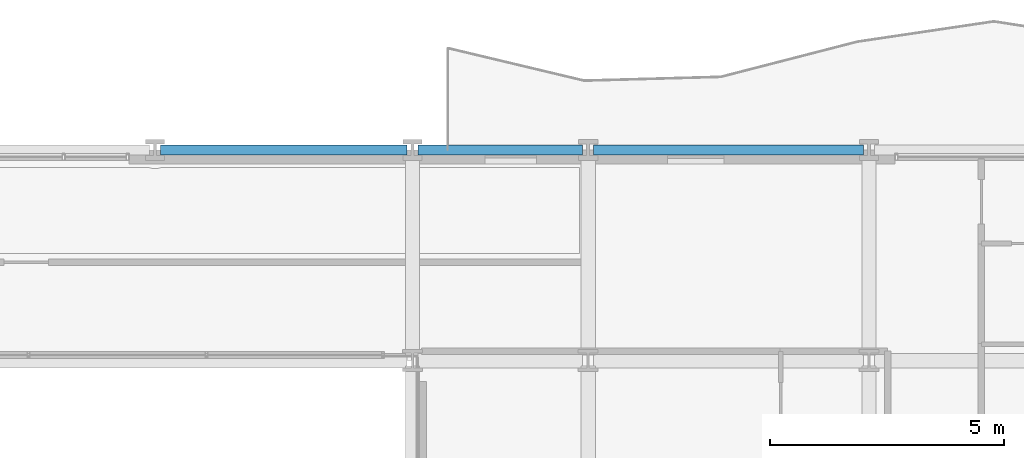
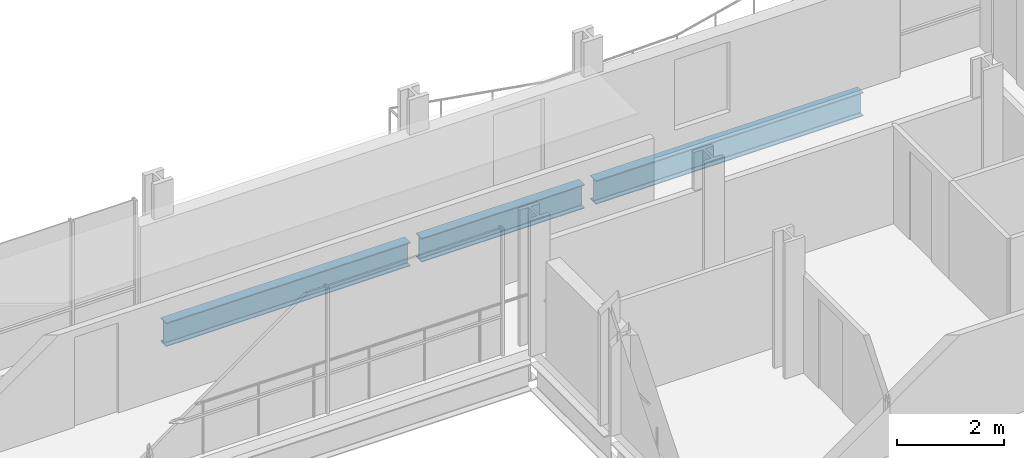
# One storey, part 23 of 40: 3 beams.
"""IFC4 building model written with IfcOpenShell, lengths in metres."""

from ifc_helpers import new_model, si_unit, direction, frame, origin, origin_2d, place, context, subcontext, project, spatial, i_section, extrude, material, material_profile, profile_set, type_object, element, save


model = new_model("IFC4")

# Units and contexts
model_context = context("Model", 3, precision=1e-05, world=origin(), true_north=direction((0.0, 1.0)))
body_context = subcontext(model_context, "Body", "Model", "MODEL_VIEW")
ifc_project = project(units=[si_unit("LENGTHUNIT", "METRE"), si_unit("AREAUNIT", "SQUARE_METRE"), si_unit("VOLUMEUNIT", "CUBIC_METRE"), si_unit("PLANEANGLEUNIT", "RADIAN"), si_unit("MASSUNIT", "GRAM", prefix="KILO")], contexts=[model_context])

# Site, building, storey
site_placement = place(None, origin())
site = spatial("IfcSite", under=ifc_project, at=site_placement, CompositionType="ELEMENT")
building_placement = place(site_placement, origin())
building = spatial("IfcBuilding", under=site, at=building_placement, Name="Brevholm Reach", CompositionType="ELEMENT")
storey_placement = place(building_placement, frame((0.0, 0.0, 31.10009765625)))
storey = spatial("IfcBuildingStorey", under=building, at=storey_placement, Name="L07", CompositionType="ELEMENT", Elevation=31.10009765625)

# Beams
ifc_material = material(Name="Structural Steel S355J2", Category="steel")
ifc_material_profile = material_profile(ifc_material, i_section(OverallWidth=0.210693359375, OverallDepth=0.53955078125, WebThickness=0.01171875, FlangeThickness=0.018798828125, FilletRadius=0.0126953125, at=origin_2d()), Name="UKB 533x210x109")
ifc_profile_set = profile_set([ifc_material_profile], Name="Structural Steel S355J2")
beam_type = type_object("IfcBeamType", Name="BM-SP539", PredefinedType="SPANDREL", material=ifc_profile_set)
beam_1_placement = place(storey_placement, frame((32.8701171875, 31.0, -0.499755859375), z_axis=(1.0, 0.0, 0.0), x_axis=(0.0, 1.0, 0.0)))
element("IfcBeam", 1, at=beam_1_placement, inside=storey, type_object=beam_type, Name="L07 SP-01B Framing Beam", PredefinedType="SPANDREL", context=body_context, shape_type="SweptSolid", body=[
    extrude(i_section(OverallWidth=0.210693359375, OverallDepth=0.53955078125, WebThickness=0.01171875, FlangeThickness=0.018798828125, FilletRadius=0.0126953125, at=origin_2d()), origin(), (0.0, 0.0, 1.0), 5.259765625),
])
beam_2_placement = place(storey_placement, frame((38.3701171875, 31.0, -0.499755859375), z_axis=(1.0, 0.0, 0.0), x_axis=(0.0, 1.0, 0.0)))
element("IfcBeam", 2, at=beam_2_placement, inside=storey, type_object=beam_type, Name="L07 SP-01B Framing Beam", PredefinedType="SPANDREL", context=body_context, shape_type="SweptSolid", body=[
    extrude(i_section(OverallWidth=0.210693359375, OverallDepth=0.53955078125, WebThickness=0.01171875, FlangeThickness=0.018798828125, FilletRadius=0.0126953125, at=origin_2d()), origin(), (0.0, 0.0, 1.0), 3.509765625),
])
beam_3_placement = place(storey_placement, frame((42.1201171875, 31.0, -0.499755859375), z_axis=(1.0, 0.0, 0.0), x_axis=(0.0, 1.0, 0.0)))
element("IfcBeam", 3, at=beam_3_placement, inside=storey, type_object=beam_type, Name="L07 SP-01B Framing Beam", PredefinedType="SPANDREL", context=body_context, shape_type="SweptSolid", body=[
    extrude(i_section(OverallWidth=0.210693359375, OverallDepth=0.53955078125, WebThickness=0.01171875, FlangeThickness=0.018798828125, FilletRadius=0.0126953125, at=origin_2d()), origin(), (0.0, 0.0, 1.0), 5.759765625),
])

save(model, "model.ifc")
